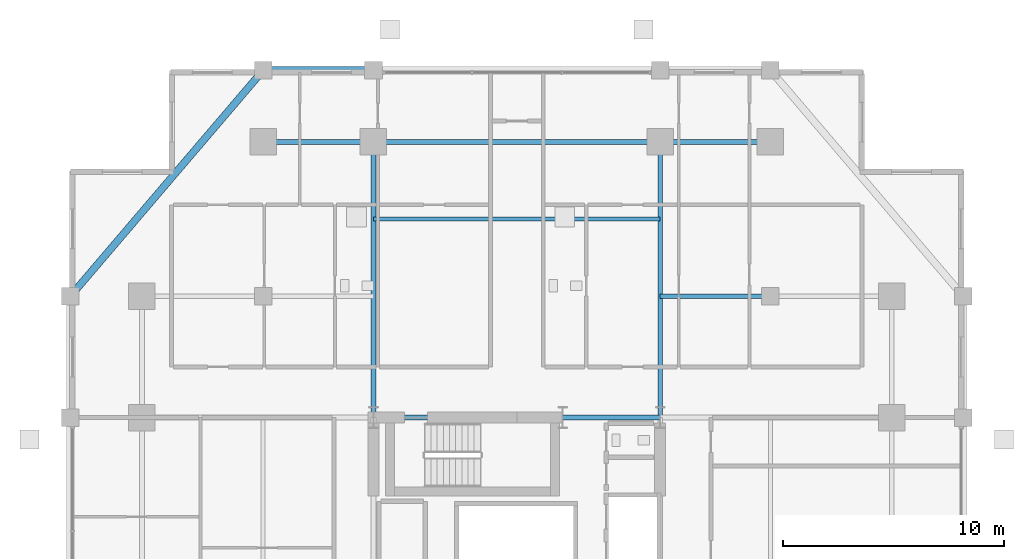
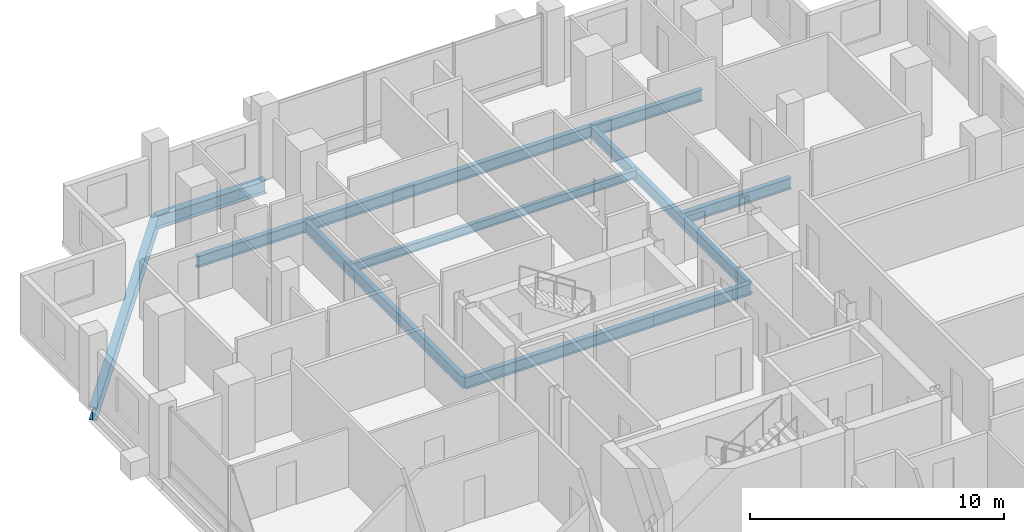
# One storey, part 9 of 20: 11 beams.
"""IFC4 building model written with IfcOpenShell, lengths in metres."""

from ifc_helpers import new_model, si_unit, direction, frame, origin, origin_2d, place, context, subcontext, project, spatial, i_section, extrude, material, material_profile, profile_set, type_object, element, save


model = new_model("IFC4")

# Units and contexts
model_context = context("Model", 3, precision=1e-05, world=origin(), true_north=direction((0.0, 1.0)))
body_context = subcontext(model_context, "Body", "Model", "MODEL_VIEW")
ifc_project = project(units=[si_unit("LENGTHUNIT", "METRE"), si_unit("AREAUNIT", "SQUARE_METRE"), si_unit("VOLUMEUNIT", "CUBIC_METRE"), si_unit("PLANEANGLEUNIT", "RADIAN"), si_unit("MASSUNIT", "GRAM", prefix="KILO")], contexts=[model_context])

# Site, building, storey
site_placement = place(None, origin())
site = spatial("IfcSite", under=ifc_project, at=site_placement, CompositionType="ELEMENT")
building_placement = place(site_placement, origin())
building = spatial("IfcBuilding", under=site, at=building_placement, Name="Barlavira Tower and Art Museum", CompositionType="ELEMENT")
storey_placement = place(building_placement, frame((0.0, 0.0, 136.800048828125)))
storey = spatial("IfcBuildingStorey", under=building, at=storey_placement, Name="L34", CompositionType="ELEMENT", Elevation=136.800048828125)

# Beams
ifc_material = material(Name="Steel S355", Category="steel")
ifc_material_profile_1 = material_profile(ifc_material, i_section(OverallWidth=0.327880859375, OverallDepth=0.62890625, WebThickness=0.013916015625, FlangeThickness=0.021484375, at=origin_2d()), Name="W610x174.0")
ifc_profile_set_1 = profile_set([ifc_material_profile_1], Name="Steel S355")
beam_type_1 = type_object("IfcBeamType", Name="Perimeter Spandrel Edge Beam W610x174 Steel S355", PredefinedType="SPANDREL", material=ifc_profile_set_1)
beam_1_placement = place(storey_placement, frame((-11.5, 23.25, -0.53466796875), z_axis=(1.0, 0.0, 0.0), x_axis=(0.0, 1.0, 0.0)))
element("IfcBeam", 1, at=beam_1_placement, inside=storey, type_object=beam_type_1, Name="L34 Spandrel 11", PredefinedType="SPANDREL", context=body_context, shape_type="SweptSolid", body=[
    extrude(i_section(OverallWidth=0.327880859375, OverallDepth=0.62890625, WebThickness=0.013916015625, FlangeThickness=0.021484375, at=origin_2d()), origin(), (0.0, 0.0, 1.0), 5.0),
])
beam_2_placement = place(storey_placement, frame((-11.5, 23.25, -0.53466796875), z_axis=(-0.649262379928, -0.760564502202, 0.0), x_axis=(0.760564502202, -0.649262379928, 0.0)))
element("IfcBeam", 2, at=beam_2_placement, inside=storey, type_object=beam_type_1, Name="L34 Spandrel 12", PredefinedType="SPANDREL", context=body_context, shape_type="SweptSolid", body=[
    extrude(i_section(OverallWidth=0.327880859375, OverallDepth=0.62890625, WebThickness=0.013916015625, FlangeThickness=0.021484375, at=origin_2d()), origin(), (0.0, 0.0, 1.0), 13.476806640625),
])
ifc_material_profile_2 = material_profile(ifc_material, i_section(OverallWidth=0.214111328125, OverallDepth=0.549072265625, WebThickness=0.0146484375, FlangeThickness=0.023681640625, at=origin_2d()), Name="W530x138.0")
ifc_profile_set_2 = profile_set([ifc_material_profile_2], Name="Steel S355")
beam_type_2 = type_object("IfcBeamType", Name="Zone 1 Primary Floor Girder W530x138 Steel S355", PredefinedType="BEAM", material=ifc_profile_set_2)
beam_3_placement = place(storey_placement, frame((-6.5, 7.5, -0.49462890625), z_axis=(1.0, 0.0, 0.0), x_axis=(0.0, 1.0, 0.0)))
element("IfcBeam", 3, at=beam_3_placement, inside=storey, type_object=beam_type_2, Name="L34 Girder C-N1", PredefinedType="BEAM", context=body_context, shape_type="SweptSolid", body=[
    extrude(i_section(OverallWidth=0.214111328125, OverallDepth=0.549072265625, WebThickness=0.0146484375, FlangeThickness=0.023681640625, at=origin_2d()), origin(), (0.0, 0.0, 1.0), 8.580078125),
])
beam_4_placement = place(storey_placement, frame((2.080078125, 7.5, -0.49462890625), z_axis=(1.0, 0.0, 0.0), x_axis=(0.0, 1.0, 0.0)))
element("IfcBeam", 4, at=beam_4_placement, inside=storey, type_object=beam_type_2, Name="L34 Girder C-N2", PredefinedType="BEAM", context=body_context, shape_type="SweptSolid", body=[
    extrude(i_section(OverallWidth=0.214111328125, OverallDepth=0.549072265625, WebThickness=0.0146484375, FlangeThickness=0.023681640625, at=origin_2d()), origin(), (0.0, 0.0, 1.0), 4.419921875),
])
beam_5_placement = place(storey_placement, frame((-11.5, 20.0, -0.49462890625), z_axis=(1.0, 0.0, 0.0), x_axis=(0.0, 1.0, 0.0)))
element("IfcBeam", 5, at=beam_5_placement, inside=storey, type_object=beam_type_2, Name="L34 Girder M-N1", PredefinedType="BEAM", context=body_context, shape_type="SweptSolid", body=[
    extrude(i_section(OverallWidth=0.214111328125, OverallDepth=0.549072265625, WebThickness=0.0146484375, FlangeThickness=0.023681640625, at=origin_2d()), origin(), (0.0, 0.0, 1.0), 5.0),
])
beam_6_placement = place(storey_placement, frame((-6.5, 20.0, -0.49462890625), z_axis=(1.0, 0.0, 0.0), x_axis=(0.0, 1.0, 0.0)))
element("IfcBeam", 6, at=beam_6_placement, inside=storey, type_object=beam_type_2, Name="L34 Girder M-N2", PredefinedType="BEAM", context=body_context, shape_type="SweptSolid", body=[
    extrude(i_section(OverallWidth=0.214111328125, OverallDepth=0.549072265625, WebThickness=0.0146484375, FlangeThickness=0.023681640625, at=origin_2d()), origin(), (0.0, 0.0, 1.0), 13.0),
])
beam_7_placement = place(storey_placement, frame((6.5, 20.0, -0.49462890625), z_axis=(1.0, 0.0, 0.0), x_axis=(0.0, 1.0, 0.0)))
element("IfcBeam", 7, at=beam_7_placement, inside=storey, type_object=beam_type_2, Name="L34 Girder M-N3", PredefinedType="BEAM", context=body_context, shape_type="SweptSolid", body=[
    extrude(i_section(OverallWidth=0.214111328125, OverallDepth=0.549072265625, WebThickness=0.0146484375, FlangeThickness=0.023681640625, at=origin_2d()), origin(), (0.0, 0.0, 1.0), 5.0),
])
for number, where, z_axis, x_axis, name in (
    (8, (-6.5, 7.5, -0.49462890625), (0.0, 1.0, 0.0), (-1.0, 0.0, 0.0), "L34 Girder R-N1"),
    (9, (6.5, 7.5, -0.49462890625), (0.0, 1.0, 0.0), (-1.0, 0.0, 0.0), "L34 Girder R-N2"),
):
    element("IfcBeam", number, at=place(storey_placement, frame(where, z_axis=z_axis, x_axis=x_axis)), inside=storey, type_object=beam_type_2, Name=name, PredefinedType="BEAM", context=body_context, shape_type="SweptSolid", body=[
        extrude(i_section(OverallWidth=0.214111328125, OverallDepth=0.549072265625, WebThickness=0.0146484375, FlangeThickness=0.023681640625, at=origin_2d()), origin(), (0.0, 0.0, 1.0), 12.5),
    ])
beam_8_placement = place(storey_placement, frame((6.5, 13.0, -0.49462890625), z_axis=(1.0, 0.0, 0.0), x_axis=(0.0, 1.0, 0.0)))
element("IfcBeam", 10, at=beam_8_placement, inside=storey, type_object=beam_type_2, Name="L34 Girder I-N3", PredefinedType="BEAM", context=body_context, shape_type="SweptSolid", body=[
    extrude(i_section(OverallWidth=0.214111328125, OverallDepth=0.549072265625, WebThickness=0.0146484375, FlangeThickness=0.023681640625, at=origin_2d()), origin(), (0.0, 0.0, 1.0), 5.0),
])
ifc_material_profile_3 = material_profile(ifc_material, i_section(OverallWidth=0.179931640625, OverallDepth=0.4130859375, WebThickness=0.009765625, FlangeThickness=0.01611328125, at=origin_2d()), Name="W410x75.0")
ifc_profile_set_3 = profile_set([ifc_material_profile_3], Name="Steel S355")
beam_type_3 = type_object("IfcBeamType", Name="Zone 2 Composite Floor Joist W410x75 Steel S355", PredefinedType="JOIST", material=ifc_profile_set_3)
beam_9_placement = place(storey_placement, frame((-6.5, 16.5, -0.426513671875), z_axis=(1.0, 0.0, 0.0), x_axis=(0.0, 1.0, 0.0)))
element("IfcBeam", 11, at=beam_9_placement, inside=storey, type_object=beam_type_3, Name="L34 Joist C2", PredefinedType="JOIST", context=body_context, shape_type="SweptSolid", body=[
    extrude(i_section(OverallWidth=0.179931640625, OverallDepth=0.4130859375, WebThickness=0.009765625, FlangeThickness=0.01611328125, at=origin_2d()), origin(), (0.0, 0.0, 1.0), 13.0),
])

save(model, "model.ifc")
